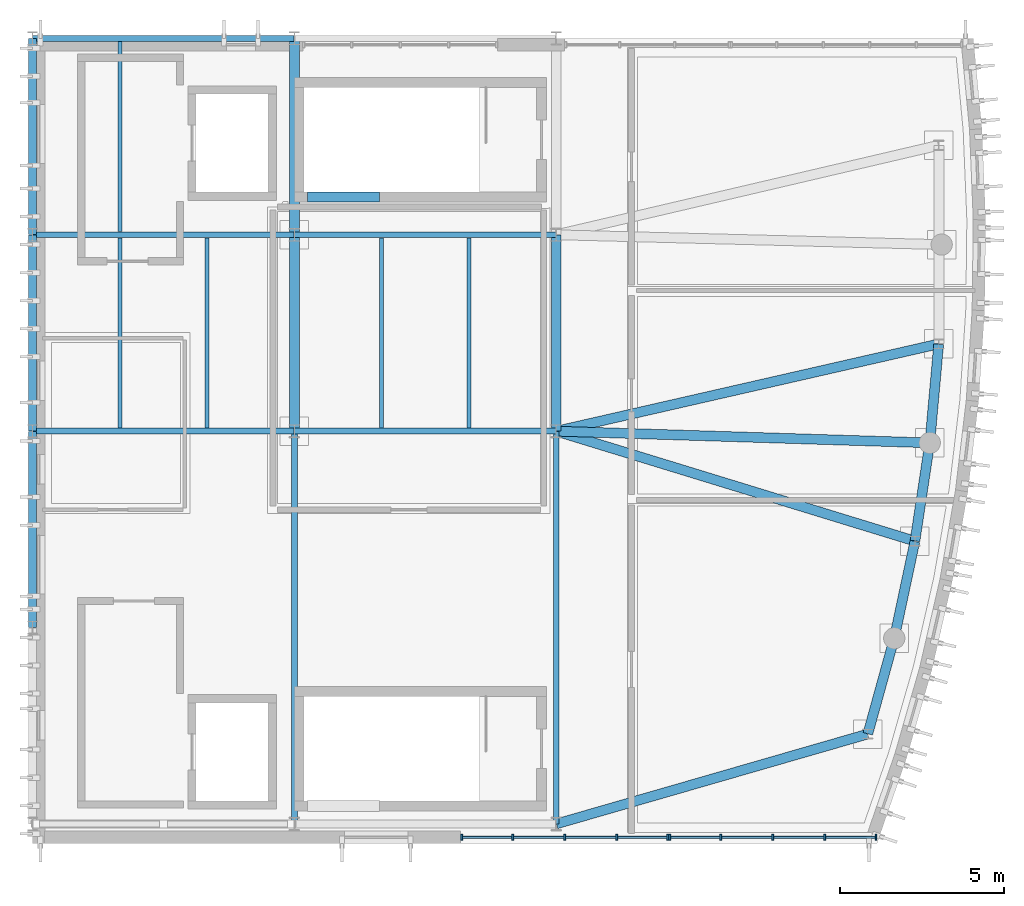
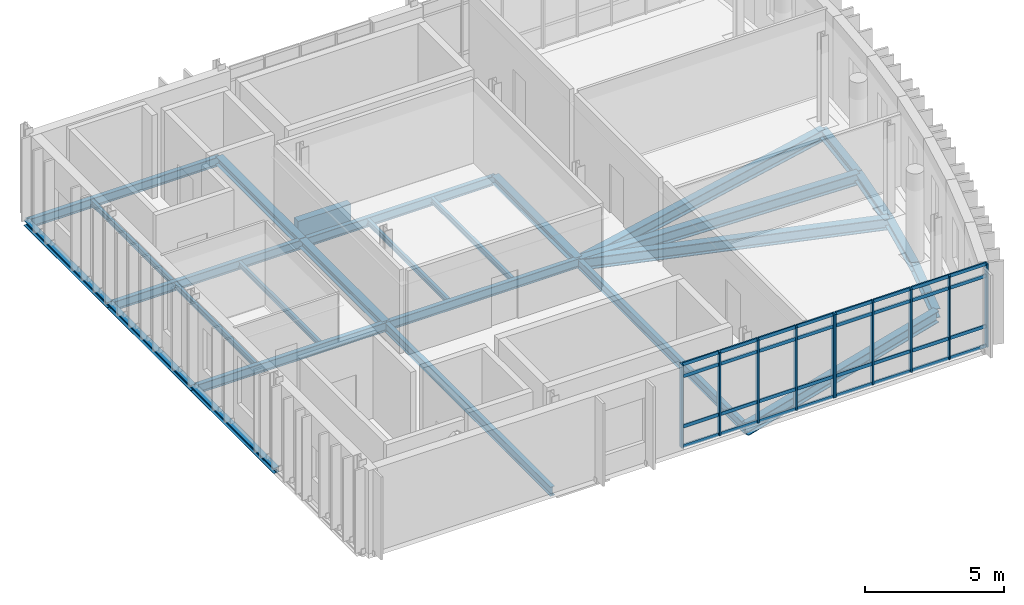
# One storey, part 2 of 9: 42 members, 27 beams, 2 elements without a shape of their own.
"""IFC4 building model written with IfcOpenShell, lengths in metres."""

import ifcopenshell
import ifcopenshell.guid

model = None  # the IFC model being written
_history = None  # IfcOwnerHistory: only IFC2X3 demands one
_inside = {}  # id of a spatial element -> (the spatial element, [elements in it])
_under = {}  # id of a project, library or spatial element -> (it, [spatial elements below it])
_declared = {}  # id of a project -> (the project, [libraries it declares])
_typed = {}  # id of a type object -> (the type object, [elements of that type])
_made_of = {}  # id of a material, layer set ... -> (it, [elements and type objects made of it])


def new_model(schema):
    """Start an empty IFC model of exactly this schema.

    Asked for "IFC4X3", IfcOpenShell would pick the latest addendum, in which some entities
    have other attributes; the version numbers below select the first issue.
    IFC2X3 requires an IfcOwnerHistory on every rooted entity: one is made here for all.
    """
    global model, _history
    if schema == "IFC4X3":
        model = ifcopenshell.file(schema_version=(4, 3, 0, 0))
    else:
        model = ifcopenshell.file(schema=schema)
    _inside.clear()
    _under.clear()
    _declared.clear()
    _typed.clear()
    _made_of.clear()
    _history = None
    if model.schema == "IFC2X3":
        org = make("IfcOrganization", Name="unknown")
        user = make(
            "IfcPersonAndOrganization",
            ThePerson=make("IfcPerson", FamilyName="unknown"),
            TheOrganization=org,
        )
        app = make(
            "IfcApplication",
            ApplicationDeveloper=org,
            Version="unknown",
            ApplicationFullName="unknown",
            ApplicationIdentifier="unknown",
        )
        _history = make(
            "IfcOwnerHistory",
            OwningUser=user,
            OwningApplication=app,
            ChangeAction="ADDED",
            CreationDate=0,
        )
    return model


def make(cls, **values):
    """One entity of the class cls with the attributes given. An attribute that is None is left unset."""
    return model.create_entity(
        cls, **{name: value for name, value in values.items() if value is not None}
    )


def rooted(cls, **values):
    """An entity with a GlobalId (a new one), such as an element, a storey or a relation."""
    return make(cls, GlobalId=ifcopenshell.guid.new(), OwnerHistory=_history, **values)


def si_unit(unit_type, name, prefix=None):
    """IfcSIUnit, for example si_unit("LENGTHUNIT", "METRE", prefix="MILLI")."""
    return make("IfcSIUnit", UnitType=unit_type, Prefix=prefix, Name=name)


def assignment(units):
    """IfcUnitAssignment: the units of a project."""
    return None if units is None else make("IfcUnitAssignment", Units=units)


def point(xyz):
    """IfcCartesianPoint."""
    return None if xyz is None else make("IfcCartesianPoint", Coordinates=xyz)


def direction(xyz):
    """IfcDirection."""
    return None if xyz is None else make("IfcDirection", DirectionRatios=xyz)


def frame(location, z_axis=None, x_axis=None):
    """IfcAxis2Placement3D, a coordinate frame: its origin and axes. An axis left out is left unset."""
    return make(
        "IfcAxis2Placement3D",
        Location=point(location),
        Axis=direction(z_axis),
        RefDirection=direction(x_axis),
    )


def frame_2d(location, x_axis=None):
    """IfcAxis2Placement2D, a coordinate frame in the plane: its origin and x axis."""
    return make(
        "IfcAxis2Placement2D", Location=point(location), RefDirection=direction(x_axis)
    )


def origin():
    """The frame at (0, 0, 0) with its axes left unset."""
    return frame((0.0, 0.0, 0.0))


def origin_2d():
    """The frame at (0, 0) in the plane with its x axis left unset."""
    return frame_2d((0.0, 0.0))


def place(relative_to, where):
    """IfcLocalPlacement: puts the frame where relative to a parent placement (None: the world)."""
    return make(
        "IfcLocalPlacement", PlacementRelTo=relative_to, RelativePlacement=where
    )


def context(
    kind, dimensions, precision=None, world=None, true_north=None, identifier=None
):
    """IfcGeometricRepresentationContext, for example the 3D "Model" context."""
    return make(
        "IfcGeometricRepresentationContext",
        ContextIdentifier=identifier,
        ContextType=kind,
        CoordinateSpaceDimension=dimensions,
        Precision=precision,
        WorldCoordinateSystem=world,
        TrueNorth=true_north,
    )


def subcontext(parent, identifier, kind, view, scale=None):
    """IfcGeometricRepresentationSubContext, for example "Body" below "Model"."""
    return make(
        "IfcGeometricRepresentationSubContext",
        ContextIdentifier=identifier,
        ContextType=kind,
        ParentContext=parent,
        TargetScale=scale,
        TargetView=view,
    )


def project(units=None, contexts=None):
    """IfcProject with its units and contexts."""
    return rooted(
        "IfcProject",
        Name="project",
        RepresentationContexts=contexts,
        UnitsInContext=assignment(units),
    )


def spatial(cls, under=None, at=None, **own):
    """A site, building, storey or space (cls), placed at a placement, below another one or the project."""
    s = rooted(cls, ObjectPlacement=at, **own)
    if under is not None:
        _under.setdefault(under.id(), (under, []))[1].append(s)
    return s


def profile(cls, at=None, kind="AREA", **sizes):
    """A parametric profile (cls). Its sizes go by their IFC names, for example OverallWidth=200.0."""
    return make(cls, ProfileType=kind, Position=at, **sizes)


def rectangle(**sizes):
    """IfcRectangleProfileDef."""
    return profile("IfcRectangleProfileDef", **sizes)


def i_section(**sizes):
    """IfcIShapeProfileDef."""
    return profile("IfcIShapeProfileDef", **sizes)


def extrude(swept, where, along, depth):
    """IfcExtrudedAreaSolid: the profile swept, set in the frame where, extruded along a direction by depth."""
    return make(
        "IfcExtrudedAreaSolid",
        SweptArea=swept,
        Position=where,
        ExtrudedDirection=direction(along),
        Depth=depth,
    )


def shape(context_of_items, identifier, shape_type, items):
    """IfcShapeRepresentation: the items that make up one representation, for example the "Body"."""
    return make(
        "IfcShapeRepresentation",
        ContextOfItems=context_of_items,
        RepresentationIdentifier=identifier,
        RepresentationType=shape_type,
        Items=items,
    )


def material(Name=None, Category=None):
    """IfcMaterial."""
    return make("IfcMaterial", Name=Name, Category=Category)


def material_profile(
    of_material, cross_section, Name=None, Category=None, Priority=None
):
    """IfcMaterialProfile: a cross section and its material."""
    return make(
        "IfcMaterialProfile",
        Name=Name,
        Material=of_material,
        Profile=cross_section,
        Priority=Priority,
        Category=Category,
    )


def profile_set(profiles, Name=None, composite=None):
    """IfcMaterialProfileSet."""
    return make(
        "IfcMaterialProfileSet",
        Name=Name,
        MaterialProfiles=profiles,
        CompositeProfile=composite,
    )


def made_of(thing, what):
    """Note that an element or type object is made of a material, layer set ...; save() writes the relation."""
    if what is not None:
        _made_of.setdefault(what.id(), (what, []))[1].append(thing)
    return thing


def type_object(cls, material=None, **own):
    """A type object (cls), such as IfcWallType, which elements share."""
    return made_of(rooted(cls, **own), material)


def element(
    cls,
    number,
    at=None,
    inside=None,
    cuts=None,
    type_object=None,
    material=None,
    context=None,
    identifier="Body",
    shape_type=None,
    held_by="IfcProductDefinitionShape",
    body=None,
    shapes=None,
    **own,
):
    """One element of the class cls, such as IfcWall. Its Tag is "e" and its number.

    at: its placement. inside: the storey or other place that contains it. cuts: it is an
    opening in that element (IfcRelVoidsElement). A single representation is given by context,
    identifier, shape_type and body (its items); several are given by shapes. held_by: the class
    of the entity that holds the representations. save() writes the other relations.
    """
    e = rooted(cls, Tag="e%d" % number, ObjectPlacement=at, **own)
    if body is not None:
        shapes = [shape(context, identifier, shape_type, body)]
    if shapes is not None:
        e.Representation = make(held_by, Representations=shapes)
    if inside is not None:
        _inside.setdefault(inside.id(), (inside, []))[1].append(e)
    if cuts is not None:
        rooted(
            "IfcRelVoidsElement", RelatingBuildingElement=cuts, RelatedOpeningElement=e
        )
    if type_object is not None:
        _typed.setdefault(type_object.id(), (type_object, []))[1].append(e)
    return made_of(e, material)


def aggregate(whole, parts):
    """IfcRelAggregates: a whole, such as a stair, and the parts it consists of."""
    return rooted("IfcRelAggregates", RelatingObject=whole, RelatedObjects=parts)


def save(model, path):
    """Write the relations noted so far, then the file.

    IfcRelAggregates (storeys below a building ...), IfcRelContainedInSpatialStructure (elements
    in a storey), IfcRelDefinesByType, IfcRelAssociatesMaterial and IfcRelDeclares: one each for
    every whole, place, type object, material and project.
    """
    for whole, parts in _under.values():
        aggregate(whole, parts)
    for where, things in _inside.values():
        rooted(
            "IfcRelContainedInSpatialStructure",
            RelatedElements=things,
            RelatingStructure=where,
        )
    for kind, things in _typed.values():
        rooted("IfcRelDefinesByType", RelatedObjects=things, RelatingType=kind)
    for what, things in _made_of.values():
        rooted("IfcRelAssociatesMaterial", RelatedObjects=things, RelatingMaterial=what)
    for by, libraries in _declared.values():
        rooted("IfcRelDeclares", RelatingContext=by, RelatedDefinitions=libraries)
    model.write(path)


model = new_model("IFC4")

# Units and contexts
model_context = context("Model", 3, precision=1e-05, world=origin(), true_north=direction((0.0, 1.0)))
body_context = subcontext(model_context, "Body", "Model", "MODEL_VIEW")
ifc_project = project(units=[si_unit("LENGTHUNIT", "METRE"), si_unit("AREAUNIT", "SQUARE_METRE"), si_unit("VOLUMEUNIT", "CUBIC_METRE"), si_unit("PLANEANGLEUNIT", "RADIAN"), si_unit("MASSUNIT", "GRAM", prefix="KILO")], contexts=[model_context])

# Site, building, storey
site_placement = place(None, origin())
site = spatial("IfcSite", under=ifc_project, at=site_placement, CompositionType="ELEMENT")
building_placement = place(site_placement, origin())
building = spatial("IfcBuilding", under=site, at=building_placement, Name="Cymarion Research Institute", CompositionType="ELEMENT")
storey_placement = place(building_placement, frame((0.0, 0.0, 42.300048828125)))
storey = spatial("IfcBuildingStorey", under=building, at=storey_placement, Name="L10", CompositionType="ELEMENT", Elevation=42.300048828125)

# Beam
ifc_material_1 = material(Name="Concrete C40/50", Category="concrete")
ifc_material_profile_1 = material_profile(ifc_material_1, rectangle(XDim=0.300048828125, YDim=0.75, at=origin_2d()), Name="RC 300x750")
ifc_profile_set_1 = profile_set([ifc_material_profile_1], Name="Concrete C40/50")
beam_type_1 = type_object("IfcBeamType", Name="COUPLING LINTEL LN01 RC 300x750", PredefinedType="LINTEL", material=ifc_profile_set_1)
beam_1_placement = place(storey_placement, frame((147.0, 24.64990234375, -0.594970703125), z_axis=(1.0, 0.0, 0.0), x_axis=(0.0, 1.0, 0.0)))
element("IfcBeam", 1, at=beam_1_placement, inside=storey, type_object=beam_type_1, Name="L10 C2 core coupling lintel LN01", PredefinedType="LINTEL", context=body_context, shape_type="SweptSolid", body=[
    extrude(rectangle(XDim=0.300048828125, YDim=0.75, at=origin_2d()), origin(), (0.0, 0.0, 1.0), 2.199951171875),
])

# Curtain wall, members
ifc_material_2 = material(Name="Anodised aluminium unitised curtain wall with Low-E glazing", Category="aluminium")
curtain_wall_type = type_object("IfcCurtainWallType", Name="UNITISED CURTAIN WALL CW78 6360X3660", PredefinedType="NOTDEFINED", material=ifc_material_2)
curtain_wall_1_placement = place(storey_placement, origin())
curtain_wall_1 = element("IfcCurtainWall", 2, at=curtain_wall_1_placement, inside=storey, type_object=curtain_wall_type, Name="L10 V1 unitised curtain wall CW78 #253", PredefinedType="NOTDEFINED")
ifc_material_3 = material(Name="Anodised aluminium framing", Category="aluminium")
ifc_material_profile_2 = material_profile(ifc_material_3, rectangle(XDim=0.06005859375, YDim=0.179931640625, at=origin_2d()), Name="ALU MULLION 60x180")
ifc_profile_set_2 = profile_set([ifc_material_profile_2], Name="Anodised aluminium framing")
member_type_1 = type_object("IfcMemberType", Name="CURTAIN WALL MULLION ML01 60X180", PredefinedType="MULLION", material=ifc_profile_set_2)
member_1_placement = place(storey_placement, frame((151.7109375, 5.090087890625, 0.0), z_axis=(0.0, 0.0, 1.0), x_axis=(1.0, 0.0, 0.0)))
member_1 = element("IfcMember", 3, at=member_1_placement, type_object=member_type_1, Name="CW78 mullion 1", PredefinedType="MULLION", context=body_context, shape_type="SweptSolid", body=[
    extrude(rectangle(XDim=0.06005859375, YDim=0.179931640625, at=origin_2d()), origin(), (0.0, 0.0, 1.0), 3.659912109375),
])
member_2_placement = place(storey_placement, frame((153.27099609375, 5.090087890625, 0.0), z_axis=(0.0, 0.0, 1.0), x_axis=(1.0, 0.0, 0.0)))
member_2 = element("IfcMember", 4, at=member_2_placement, type_object=member_type_1, Name="CW78 mullion 2", PredefinedType="MULLION", context=body_context, shape_type="SweptSolid", body=[
    extrude(rectangle(XDim=0.06005859375, YDim=0.179931640625, at=origin_2d()), origin(), (0.0, 0.0, 1.0), 3.659912109375),
])
member_3_placement = place(storey_placement, frame((154.86083984375, 5.090087890625, 0.0), z_axis=(0.0, 0.0, 1.0), x_axis=(1.0, 0.0, 0.0)))
member_3 = element("IfcMember", 5, at=member_3_placement, type_object=member_type_1, Name="CW78 mullion 3", PredefinedType="MULLION", context=body_context, shape_type="SweptSolid", body=[
    extrude(rectangle(XDim=0.06005859375, YDim=0.179931640625, at=origin_2d()), origin(), (0.0, 0.0, 1.0), 3.659912109375),
])
member_4_placement = place(storey_placement, frame((156.45068359375, 5.090087890625, 0.0), z_axis=(0.0, 0.0, 1.0), x_axis=(1.0, 0.0, 0.0)))
member_4 = element("IfcMember", 6, at=member_4_placement, type_object=member_type_1, Name="CW78 mullion 4", PredefinedType="MULLION", context=body_context, shape_type="SweptSolid", body=[
    extrude(rectangle(XDim=0.06005859375, YDim=0.179931640625, at=origin_2d()), origin(), (0.0, 0.0, 1.0), 3.659912109375),
])
member_5_placement = place(storey_placement, frame((158.010498046875, 5.090087890625, 0.0), z_axis=(0.0, 0.0, 1.0), x_axis=(1.0, 0.0, 0.0)))
member_5 = element("IfcMember", 7, at=member_5_placement, type_object=member_type_1, Name="CW78 mullion 5", PredefinedType="MULLION", context=body_context, shape_type="SweptSolid", body=[
    extrude(rectangle(XDim=0.06005859375, YDim=0.179931640625, at=origin_2d()), origin(), (0.0, 0.0, 1.0), 3.659912109375),
])

curtain_wall_2_placement = place(storey_placement, origin())
curtain_wall_2 = element("IfcCurtainWall", 8, at=curtain_wall_2_placement, inside=storey, type_object=curtain_wall_type, Name="L10 V1 unitised curtain wall CW78 #254", PredefinedType="NOTDEFINED")
member_6_placement = place(storey_placement, frame((158.070556640625, 5.090087890625, 0.0), z_axis=(0.0, 0.0, 1.0), x_axis=(1.0, 0.0, 0.0)))
member_6 = element("IfcMember", 9, at=member_6_placement, type_object=member_type_1, Name="CW78 mullion 1", PredefinedType="MULLION", context=body_context, shape_type="SweptSolid", body=[
    extrude(rectangle(XDim=0.06005859375, YDim=0.179931640625, at=origin_2d()), origin(), (0.0, 0.0, 1.0), 3.659912109375),
])
member_7_placement = place(storey_placement, frame((159.63037109375, 5.090087890625, 0.0), z_axis=(0.0, 0.0, 1.0), x_axis=(1.0, 0.0, 0.0)))
member_7 = element("IfcMember", 10, at=member_7_placement, type_object=member_type_1, Name="CW78 mullion 2", PredefinedType="MULLION", context=body_context, shape_type="SweptSolid", body=[
    extrude(rectangle(XDim=0.06005859375, YDim=0.179931640625, at=origin_2d()), origin(), (0.0, 0.0, 1.0), 3.659912109375),
])
member_8_placement = place(storey_placement, frame((161.22021484375, 5.090087890625, 0.0), z_axis=(0.0, 0.0, 1.0), x_axis=(1.0, 0.0, 0.0)))
member_8 = element("IfcMember", 11, at=member_8_placement, type_object=member_type_1, Name="CW78 mullion 3", PredefinedType="MULLION", context=body_context, shape_type="SweptSolid", body=[
    extrude(rectangle(XDim=0.06005859375, YDim=0.179931640625, at=origin_2d()), origin(), (0.0, 0.0, 1.0), 3.659912109375),
])
member_9_placement = place(storey_placement, frame((162.81005859375, 5.090087890625, 0.0), z_axis=(0.0, 0.0, 1.0), x_axis=(1.0, 0.0, 0.0)))
member_9 = element("IfcMember", 12, at=member_9_placement, type_object=member_type_1, Name="CW78 mullion 4", PredefinedType="MULLION", context=body_context, shape_type="SweptSolid", body=[
    extrude(rectangle(XDim=0.06005859375, YDim=0.179931640625, at=origin_2d()), origin(), (0.0, 0.0, 1.0), 3.659912109375),
])
member_10_placement = place(storey_placement, frame((164.3701171875, 5.090087890625, 0.0), z_axis=(0.0, 0.0, 1.0), x_axis=(1.0, 0.0, 0.0)))
member_10 = element("IfcMember", 13, at=member_10_placement, type_object=member_type_1, Name="CW78 mullion 5", PredefinedType="MULLION", context=body_context, shape_type="SweptSolid", body=[
    extrude(rectangle(XDim=0.06005859375, YDim=0.179931640625, at=origin_2d()), origin(), (0.0, 0.0, 1.0), 3.659912109375),
])

# Member
ifc_material_profile_3 = material_profile(ifc_material_3, rectangle(XDim=0.06005859375, YDim=0.14990234375, at=origin_2d()), Name="ALU TRANSOM 60x150")
ifc_profile_set_3 = profile_set([ifc_material_profile_3], Name="Anodised aluminium framing")
member_type_2 = type_object("IfcMemberType", Name="CURTAIN WALL TRANSOM TR01 60X150", PredefinedType="USERDEFINED", material=ifc_profile_set_3)
member_11_placement = place(storey_placement, frame((151.740966796875, 5.090087890625, 0.030029296875), z_axis=(1.0, 0.0, 0.0), x_axis=(0.0, 1.0, 0.0)))
member_11 = element("IfcMember", 14, at=member_11_placement, type_object=member_type_2, Name="CW78 transom 1.1", ObjectType="TRANSOM", PredefinedType="USERDEFINED", context=body_context, shape_type="SweptSolid", body=[
    extrude(rectangle(XDim=0.06005859375, YDim=0.14990234375, at=origin_2d()), origin(), (0.0, 0.0, 1.0), 1.5),
])

member_12_placement = place(storey_placement, frame((151.740966796875, 5.090087890625, 0.89990234375), z_axis=(1.0, 0.0, 0.0), x_axis=(0.0, 1.0, 0.0)))
member_12 = element("IfcMember", 15, at=member_12_placement, type_object=member_type_2, Name="CW78 transom 1.2", ObjectType="TRANSOM", PredefinedType="USERDEFINED", context=body_context, shape_type="SweptSolid", body=[
    extrude(rectangle(XDim=0.06005859375, YDim=0.14990234375, at=origin_2d()), origin(), (0.0, 0.0, 1.0), 1.5),
])

member_13_placement = place(storey_placement, frame((151.740966796875, 5.090087890625, 3.10986328125), z_axis=(1.0, 0.0, 0.0), x_axis=(0.0, 1.0, 0.0)))
member_13 = element("IfcMember", 16, at=member_13_placement, type_object=member_type_2, Name="CW78 transom 1.3", ObjectType="TRANSOM", PredefinedType="USERDEFINED", context=body_context, shape_type="SweptSolid", body=[
    extrude(rectangle(XDim=0.06005859375, YDim=0.14990234375, at=origin_2d()), origin(), (0.0, 0.0, 1.0), 1.5),
])

member_14_placement = place(storey_placement, frame((151.740966796875, 5.090087890625, 3.6298828125), z_axis=(1.0, 0.0, 0.0), x_axis=(0.0, 1.0, 0.0)))
member_14 = element("IfcMember", 17, at=member_14_placement, type_object=member_type_2, Name="CW78 transom 1.4", ObjectType="TRANSOM", PredefinedType="USERDEFINED", context=body_context, shape_type="SweptSolid", body=[
    extrude(rectangle(XDim=0.06005859375, YDim=0.14990234375, at=origin_2d()), origin(), (0.0, 0.0, 1.0), 1.5),
])

member_15_placement = place(storey_placement, frame((153.30078125, 5.090087890625, 0.030029296875), z_axis=(1.0, 0.0, 0.0), x_axis=(0.0, 1.0, 0.0)))
member_15 = element("IfcMember", 18, at=member_15_placement, type_object=member_type_2, Name="CW78 transom 2.1", ObjectType="TRANSOM", PredefinedType="USERDEFINED", context=body_context, shape_type="SweptSolid", body=[
    extrude(rectangle(XDim=0.06005859375, YDim=0.14990234375, at=origin_2d()), origin(), (0.0, 0.0, 1.0), 1.530029296875),
])

member_16_placement = place(storey_placement, frame((153.30078125, 5.090087890625, 0.89990234375), z_axis=(1.0, 0.0, 0.0), x_axis=(0.0, 1.0, 0.0)))
member_16 = element("IfcMember", 19, at=member_16_placement, type_object=member_type_2, Name="CW78 transom 2.2", ObjectType="TRANSOM", PredefinedType="USERDEFINED", context=body_context, shape_type="SweptSolid", body=[
    extrude(rectangle(XDim=0.06005859375, YDim=0.14990234375, at=origin_2d()), origin(), (0.0, 0.0, 1.0), 1.530029296875),
])

member_17_placement = place(storey_placement, frame((153.30078125, 5.090087890625, 3.10986328125), z_axis=(1.0, 0.0, 0.0), x_axis=(0.0, 1.0, 0.0)))
member_17 = element("IfcMember", 20, at=member_17_placement, type_object=member_type_2, Name="CW78 transom 2.3", ObjectType="TRANSOM", PredefinedType="USERDEFINED", context=body_context, shape_type="SweptSolid", body=[
    extrude(rectangle(XDim=0.06005859375, YDim=0.14990234375, at=origin_2d()), origin(), (0.0, 0.0, 1.0), 1.530029296875),
])

member_18_placement = place(storey_placement, frame((153.30078125, 5.090087890625, 3.6298828125), z_axis=(1.0, 0.0, 0.0), x_axis=(0.0, 1.0, 0.0)))
member_18 = element("IfcMember", 21, at=member_18_placement, type_object=member_type_2, Name="CW78 transom 2.4", ObjectType="TRANSOM", PredefinedType="USERDEFINED", context=body_context, shape_type="SweptSolid", body=[
    extrude(rectangle(XDim=0.06005859375, YDim=0.14990234375, at=origin_2d()), origin(), (0.0, 0.0, 1.0), 1.530029296875),
])

member_19_placement = place(storey_placement, frame((154.890869140625, 5.090087890625, 0.030029296875), z_axis=(1.0, 0.0, 0.0), x_axis=(0.0, 1.0, 0.0)))
member_19 = element("IfcMember", 22, at=member_19_placement, type_object=member_type_2, Name="CW78 transom 3.1", ObjectType="TRANSOM", PredefinedType="USERDEFINED", context=body_context, shape_type="SweptSolid", body=[
    extrude(rectangle(XDim=0.06005859375, YDim=0.14990234375, at=origin_2d()), origin(), (0.0, 0.0, 1.0), 1.52978515625),
])

member_20_placement = place(storey_placement, frame((154.890869140625, 5.090087890625, 0.89990234375), z_axis=(1.0, 0.0, 0.0), x_axis=(0.0, 1.0, 0.0)))
member_20 = element("IfcMember", 23, at=member_20_placement, type_object=member_type_2, Name="CW78 transom 3.2", ObjectType="TRANSOM", PredefinedType="USERDEFINED", context=body_context, shape_type="SweptSolid", body=[
    extrude(rectangle(XDim=0.06005859375, YDim=0.14990234375, at=origin_2d()), origin(), (0.0, 0.0, 1.0), 1.52978515625),
])

member_21_placement = place(storey_placement, frame((154.890869140625, 5.090087890625, 3.10986328125), z_axis=(1.0, 0.0, 0.0), x_axis=(0.0, 1.0, 0.0)))
member_21 = element("IfcMember", 24, at=member_21_placement, type_object=member_type_2, Name="CW78 transom 3.3", ObjectType="TRANSOM", PredefinedType="USERDEFINED", context=body_context, shape_type="SweptSolid", body=[
    extrude(rectangle(XDim=0.06005859375, YDim=0.14990234375, at=origin_2d()), origin(), (0.0, 0.0, 1.0), 1.52978515625),
])

member_22_placement = place(storey_placement, frame((154.890869140625, 5.090087890625, 3.6298828125), z_axis=(1.0, 0.0, 0.0), x_axis=(0.0, 1.0, 0.0)))
member_22 = element("IfcMember", 25, at=member_22_placement, type_object=member_type_2, Name="CW78 transom 3.4", ObjectType="TRANSOM", PredefinedType="USERDEFINED", context=body_context, shape_type="SweptSolid", body=[
    extrude(rectangle(XDim=0.06005859375, YDim=0.14990234375, at=origin_2d()), origin(), (0.0, 0.0, 1.0), 1.52978515625),
])

member_23_placement = place(storey_placement, frame((156.480712890625, 5.090087890625, 0.030029296875), z_axis=(1.0, 0.0, 0.0), x_axis=(0.0, 1.0, 0.0)))
member_23 = element("IfcMember", 26, at=member_23_placement, type_object=member_type_2, Name="CW78 transom 4.1", ObjectType="TRANSOM", PredefinedType="USERDEFINED", context=body_context, shape_type="SweptSolid", body=[
    extrude(rectangle(XDim=0.06005859375, YDim=0.14990234375, at=origin_2d()), origin(), (0.0, 0.0, 1.0), 1.499755859375),
])

member_24_placement = place(storey_placement, frame((156.480712890625, 5.090087890625, 0.89990234375), z_axis=(1.0, 0.0, 0.0), x_axis=(0.0, 1.0, 0.0)))
member_24 = element("IfcMember", 27, at=member_24_placement, type_object=member_type_2, Name="CW78 transom 4.2", ObjectType="TRANSOM", PredefinedType="USERDEFINED", context=body_context, shape_type="SweptSolid", body=[
    extrude(rectangle(XDim=0.06005859375, YDim=0.14990234375, at=origin_2d()), origin(), (0.0, 0.0, 1.0), 1.499755859375),
])

member_25_placement = place(storey_placement, frame((156.480712890625, 5.090087890625, 3.10986328125), z_axis=(1.0, 0.0, 0.0), x_axis=(0.0, 1.0, 0.0)))
member_25 = element("IfcMember", 28, at=member_25_placement, type_object=member_type_2, Name="CW78 transom 4.3", ObjectType="TRANSOM", PredefinedType="USERDEFINED", context=body_context, shape_type="SweptSolid", body=[
    extrude(rectangle(XDim=0.06005859375, YDim=0.14990234375, at=origin_2d()), origin(), (0.0, 0.0, 1.0), 1.499755859375),
])

member_26_placement = place(storey_placement, frame((156.480712890625, 5.090087890625, 3.6298828125), z_axis=(1.0, 0.0, 0.0), x_axis=(0.0, 1.0, 0.0)))
member_26 = element("IfcMember", 29, at=member_26_placement, type_object=member_type_2, Name="CW78 transom 4.4", ObjectType="TRANSOM", PredefinedType="USERDEFINED", context=body_context, shape_type="SweptSolid", body=[
    extrude(rectangle(XDim=0.06005859375, YDim=0.14990234375, at=origin_2d()), origin(), (0.0, 0.0, 1.0), 1.499755859375),
])

aggregate(curtain_wall_1, [member_1, member_2, member_3, member_4, member_5, member_11, member_12, member_13, member_14, member_15, member_16, member_17, member_18, member_19, member_20, member_21, member_22, member_23, member_24, member_25, member_26])

member_27_placement = place(storey_placement, frame((158.1005859375, 5.090087890625, 0.030029296875), z_axis=(1.0, 0.0, 0.0), x_axis=(0.0, 1.0, 0.0)))
member_27 = element("IfcMember", 30, at=member_27_placement, type_object=member_type_2, Name="CW78 transom 1.1", ObjectType="TRANSOM", PredefinedType="USERDEFINED", context=body_context, shape_type="SweptSolid", body=[
    extrude(rectangle(XDim=0.06005859375, YDim=0.14990234375, at=origin_2d()), origin(), (0.0, 0.0, 1.0), 1.499755859375),
])

member_28_placement = place(storey_placement, frame((158.1005859375, 5.090087890625, 0.89990234375), z_axis=(1.0, 0.0, 0.0), x_axis=(0.0, 1.0, 0.0)))
member_28 = element("IfcMember", 31, at=member_28_placement, type_object=member_type_2, Name="CW78 transom 1.2", ObjectType="TRANSOM", PredefinedType="USERDEFINED", context=body_context, shape_type="SweptSolid", body=[
    extrude(rectangle(XDim=0.06005859375, YDim=0.14990234375, at=origin_2d()), origin(), (0.0, 0.0, 1.0), 1.499755859375),
])

member_29_placement = place(storey_placement, frame((158.1005859375, 5.090087890625, 3.10986328125), z_axis=(1.0, 0.0, 0.0), x_axis=(0.0, 1.0, 0.0)))
member_29 = element("IfcMember", 32, at=member_29_placement, type_object=member_type_2, Name="CW78 transom 1.3", ObjectType="TRANSOM", PredefinedType="USERDEFINED", context=body_context, shape_type="SweptSolid", body=[
    extrude(rectangle(XDim=0.06005859375, YDim=0.14990234375, at=origin_2d()), origin(), (0.0, 0.0, 1.0), 1.499755859375),
])

member_30_placement = place(storey_placement, frame((158.1005859375, 5.090087890625, 3.6298828125), z_axis=(1.0, 0.0, 0.0), x_axis=(0.0, 1.0, 0.0)))
member_30 = element("IfcMember", 33, at=member_30_placement, type_object=member_type_2, Name="CW78 transom 1.4", ObjectType="TRANSOM", PredefinedType="USERDEFINED", context=body_context, shape_type="SweptSolid", body=[
    extrude(rectangle(XDim=0.06005859375, YDim=0.14990234375, at=origin_2d()), origin(), (0.0, 0.0, 1.0), 1.499755859375),
])

member_31_placement = place(storey_placement, frame((159.660400390625, 5.090087890625, 0.030029296875), z_axis=(1.0, 0.0, 0.0), x_axis=(0.0, 1.0, 0.0)))
member_31 = element("IfcMember", 34, at=member_31_placement, type_object=member_type_2, Name="CW78 transom 2.1", ObjectType="TRANSOM", PredefinedType="USERDEFINED", context=body_context, shape_type="SweptSolid", body=[
    extrude(rectangle(XDim=0.06005859375, YDim=0.14990234375, at=origin_2d()), origin(), (0.0, 0.0, 1.0), 1.52978515625),
])

member_32_placement = place(storey_placement, frame((159.660400390625, 5.090087890625, 0.89990234375), z_axis=(1.0, 0.0, 0.0), x_axis=(0.0, 1.0, 0.0)))
member_32 = element("IfcMember", 35, at=member_32_placement, type_object=member_type_2, Name="CW78 transom 2.2", ObjectType="TRANSOM", PredefinedType="USERDEFINED", context=body_context, shape_type="SweptSolid", body=[
    extrude(rectangle(XDim=0.06005859375, YDim=0.14990234375, at=origin_2d()), origin(), (0.0, 0.0, 1.0), 1.52978515625),
])

member_33_placement = place(storey_placement, frame((159.660400390625, 5.090087890625, 3.10986328125), z_axis=(1.0, 0.0, 0.0), x_axis=(0.0, 1.0, 0.0)))
member_33 = element("IfcMember", 36, at=member_33_placement, type_object=member_type_2, Name="CW78 transom 2.3", ObjectType="TRANSOM", PredefinedType="USERDEFINED", context=body_context, shape_type="SweptSolid", body=[
    extrude(rectangle(XDim=0.06005859375, YDim=0.14990234375, at=origin_2d()), origin(), (0.0, 0.0, 1.0), 1.52978515625),
])

member_34_placement = place(storey_placement, frame((159.660400390625, 5.090087890625, 3.6298828125), z_axis=(1.0, 0.0, 0.0), x_axis=(0.0, 1.0, 0.0)))
member_34 = element("IfcMember", 37, at=member_34_placement, type_object=member_type_2, Name="CW78 transom 2.4", ObjectType="TRANSOM", PredefinedType="USERDEFINED", context=body_context, shape_type="SweptSolid", body=[
    extrude(rectangle(XDim=0.06005859375, YDim=0.14990234375, at=origin_2d()), origin(), (0.0, 0.0, 1.0), 1.52978515625),
])

member_35_placement = place(storey_placement, frame((161.250244140625, 5.090087890625, 0.030029296875), z_axis=(1.0, 0.0, 0.0), x_axis=(0.0, 1.0, 0.0)))
member_35 = element("IfcMember", 38, at=member_35_placement, type_object=member_type_2, Name="CW78 transom 3.1", ObjectType="TRANSOM", PredefinedType="USERDEFINED", context=body_context, shape_type="SweptSolid", body=[
    extrude(rectangle(XDim=0.06005859375, YDim=0.14990234375, at=origin_2d()), origin(), (0.0, 0.0, 1.0), 1.52978515625),
])

member_36_placement = place(storey_placement, frame((161.250244140625, 5.090087890625, 0.89990234375), z_axis=(1.0, 0.0, 0.0), x_axis=(0.0, 1.0, 0.0)))
member_36 = element("IfcMember", 39, at=member_36_placement, type_object=member_type_2, Name="CW78 transom 3.2", ObjectType="TRANSOM", PredefinedType="USERDEFINED", context=body_context, shape_type="SweptSolid", body=[
    extrude(rectangle(XDim=0.06005859375, YDim=0.14990234375, at=origin_2d()), origin(), (0.0, 0.0, 1.0), 1.52978515625),
])

member_37_placement = place(storey_placement, frame((161.250244140625, 5.090087890625, 3.10986328125), z_axis=(1.0, 0.0, 0.0), x_axis=(0.0, 1.0, 0.0)))
member_37 = element("IfcMember", 40, at=member_37_placement, type_object=member_type_2, Name="CW78 transom 3.3", ObjectType="TRANSOM", PredefinedType="USERDEFINED", context=body_context, shape_type="SweptSolid", body=[
    extrude(rectangle(XDim=0.06005859375, YDim=0.14990234375, at=origin_2d()), origin(), (0.0, 0.0, 1.0), 1.52978515625),
])

member_38_placement = place(storey_placement, frame((161.250244140625, 5.090087890625, 3.6298828125), z_axis=(1.0, 0.0, 0.0), x_axis=(0.0, 1.0, 0.0)))
member_38 = element("IfcMember", 41, at=member_38_placement, type_object=member_type_2, Name="CW78 transom 3.4", ObjectType="TRANSOM", PredefinedType="USERDEFINED", context=body_context, shape_type="SweptSolid", body=[
    extrude(rectangle(XDim=0.06005859375, YDim=0.14990234375, at=origin_2d()), origin(), (0.0, 0.0, 1.0), 1.52978515625),
])

member_39_placement = place(storey_placement, frame((162.840087890625, 5.090087890625, 0.030029296875), z_axis=(1.0, 0.0, 0.0), x_axis=(0.0, 1.0, 0.0)))
member_39 = element("IfcMember", 42, at=member_39_placement, type_object=member_type_2, Name="CW78 transom 4.1", ObjectType="TRANSOM", PredefinedType="USERDEFINED", context=body_context, shape_type="SweptSolid", body=[
    extrude(rectangle(XDim=0.06005859375, YDim=0.14990234375, at=origin_2d()), origin(), (0.0, 0.0, 1.0), 1.5),
])

member_40_placement = place(storey_placement, frame((162.840087890625, 5.090087890625, 0.89990234375), z_axis=(1.0, 0.0, 0.0), x_axis=(0.0, 1.0, 0.0)))
member_40 = element("IfcMember", 43, at=member_40_placement, type_object=member_type_2, Name="CW78 transom 4.2", ObjectType="TRANSOM", PredefinedType="USERDEFINED", context=body_context, shape_type="SweptSolid", body=[
    extrude(rectangle(XDim=0.06005859375, YDim=0.14990234375, at=origin_2d()), origin(), (0.0, 0.0, 1.0), 1.5),
])

member_41_placement = place(storey_placement, frame((162.840087890625, 5.090087890625, 3.10986328125), z_axis=(1.0, 0.0, 0.0), x_axis=(0.0, 1.0, 0.0)))
member_41 = element("IfcMember", 44, at=member_41_placement, type_object=member_type_2, Name="CW78 transom 4.3", ObjectType="TRANSOM", PredefinedType="USERDEFINED", context=body_context, shape_type="SweptSolid", body=[
    extrude(rectangle(XDim=0.06005859375, YDim=0.14990234375, at=origin_2d()), origin(), (0.0, 0.0, 1.0), 1.5),
])

member_42_placement = place(storey_placement, frame((162.840087890625, 5.090087890625, 3.6298828125), z_axis=(1.0, 0.0, 0.0), x_axis=(0.0, 1.0, 0.0)))
member_42 = element("IfcMember", 45, at=member_42_placement, type_object=member_type_2, Name="CW78 transom 4.4", ObjectType="TRANSOM", PredefinedType="USERDEFINED", context=body_context, shape_type="SweptSolid", body=[
    extrude(rectangle(XDim=0.06005859375, YDim=0.14990234375, at=origin_2d()), origin(), (0.0, 0.0, 1.0), 1.5),
])

aggregate(curtain_wall_2, [member_6, member_7, member_8, member_9, member_10, member_27, member_28, member_29, member_30, member_31, member_32, member_33, member_34, member_35, member_36, member_37, member_38, member_39, member_40, member_41, member_42])

# Beams
ifc_material_4 = material(Name="Steel S355", Category="steel")
ifc_material_profile_4 = material_profile(ifc_material_4, i_section(OverallWidth=0.179931640625, OverallDepth=0.39990234375, WebThickness=0.008544921875, FlangeThickness=0.013427734375, FilletRadius=0.02099609375, at=origin_2d()), Name="IPE 400")
ifc_profile_set_4 = profile_set([ifc_material_profile_4], Name="Steel S355")
beam_type_2 = type_object("IfcBeamType", Name="PRIMARY GIRDER BM05 IPE 400", PredefinedType="BEAM", material=ifc_profile_set_4)
for number, where, z_axis, x_axis, name in (
    (46, (138.60595703125, 17.5, -0.400146484375), (1.0, 0.0, 0.0), (0.0, 1.0, 0.0), "L10 V1 girder BM05 #2422"),
    (47, (146.60595703125, 17.5, -0.400146484375), (1.0, 0.0, 0.0), (0.0, 1.0, 0.0), "L10 V1 girder BM05 #2423"),
    (48, (138.60595703125, 23.5, -0.400146484375), (1.0, 0.0, 0.0), (0.0, 1.0, 0.0), "L10 V1 girder BM05 #2424"),
    (49, (146.60595703125, 23.5, -0.400146484375), (1.0, 0.0, 0.0), (0.0, 1.0, 0.0), "L10 V1 girder BM05 #2425"),
    (50, (138.60595703125, 29.5, -0.400146484375), (1.0, 0.0, 0.0), (0.0, 1.0, 0.0), "L10 V1 girder BM05 #2426"),
):
    element("IfcBeam", number, at=place(storey_placement, frame(where, z_axis=z_axis, x_axis=x_axis)), inside=storey, type_object=beam_type_2, Name=name, PredefinedType="BEAM", context=body_context, shape_type="SweptSolid", body=[
        extrude(i_section(OverallWidth=0.179931640625, OverallDepth=0.39990234375, WebThickness=0.008544921875, FlangeThickness=0.013427734375, FilletRadius=0.02099609375, at=origin_2d()), origin(), (0.0, 0.0, 1.0), 7.988037109375),
    ])
for number, where, z_axis, x_axis, name in (
    (51, (146.60009765625, 5.506103515625, -0.400146484375), (0.0, 1.0, 0.0), (-1.0, 0.0, 0.0), "L10 V1 girder BM05 #2432"),
    (52, (154.60009765625, 5.506103515625, -0.400146484375), (0.0, 1.0, 0.0), (-1.0, 0.0, 0.0), "L10 V1 girder BM05 #2435"),
):
    element("IfcBeam", number, at=place(storey_placement, frame(where, z_axis=z_axis, x_axis=x_axis)), inside=storey, type_object=beam_type_2, Name=name, PredefinedType="BEAM", context=body_context, shape_type="SweptSolid", body=[
        extrude(i_section(OverallWidth=0.179931640625, OverallDepth=0.39990234375, WebThickness=0.008544921875, FlangeThickness=0.013427734375, FilletRadius=0.02099609375, at=origin_2d()), origin(), (0.0, 0.0, 1.0), 11.98779296875),
    ])
ifc_material_profile_5 = material_profile(ifc_material_4, i_section(OverallWidth=0.300048828125, OverallDepth=0.5, WebThickness=0.014404296875, FlangeThickness=0.028076171875, FilletRadius=0.027099609375, at=origin_2d()), Name="HEB 500")
ifc_profile_set_5 = profile_set([ifc_material_profile_5], Name="Steel S355")
beam_type_3 = type_object("IfcBeamType", Name="PRIMARY GIRDER BM09 HEB 500", PredefinedType="BEAM", material=ifc_profile_set_5)
beam_2_placement = place(storey_placement, frame((154.607666015625, 5.502197265625, -0.449951171875), z_axis=(0.960790340878, 0.277275893067, 0.0), x_axis=(-0.277275893067, 0.960790340878, 0.0)))
element("IfcBeam", 53, at=beam_2_placement, inside=storey, type_object=beam_type_3, Name="L10 V1 radial prow girder BM09 #2443", PredefinedType="BEAM", context=body_context, shape_type="SweptSolid", body=[
    extrude(i_section(OverallWidth=0.300048828125, OverallDepth=0.5, WebThickness=0.014404296875, FlangeThickness=0.028076171875, FilletRadius=0.027099609375, at=origin_2d()), origin(), (0.0, 0.0, 1.0), 9.8916015625),
])
beam_3_placement = place(storey_placement, frame((154.607666015625, 17.497802734375, -0.449951171875), z_axis=(0.956111343016, -0.29300358318, 0.0), x_axis=(0.29300358318, 0.956111343016, 0.0)))
element("IfcBeam", 54, at=beam_3_placement, inside=storey, type_object=beam_type_3, Name="L10 V1 radial prow girder BM09 #2444", PredefinedType="BEAM", context=body_context, shape_type="SweptSolid", body=[
    extrude(i_section(OverallWidth=0.300048828125, OverallDepth=0.5, WebThickness=0.014404296875, FlangeThickness=0.028076171875, FilletRadius=0.027099609375, at=origin_2d()), origin(), (0.0, 0.0, 1.0), 11.447021484375),
])
beam_4_placement = place(storey_placement, frame((154.60791015625, 17.499755859375, -0.449951171875), z_axis=(0.999510612774, -0.03128154332, 0.0), x_axis=(0.03128154332, 0.999510612774, 0.0)))
element("IfcBeam", 55, at=beam_4_placement, inside=storey, type_object=beam_type_3, Name="L10 V1 radial prow girder BM09 #2445", PredefinedType="BEAM", context=body_context, shape_type="SweptSolid", body=[
    extrude(i_section(OverallWidth=0.300048828125, OverallDepth=0.5, WebThickness=0.014404296875, FlangeThickness=0.028076171875, FilletRadius=0.027099609375, at=origin_2d()), origin(), (0.0, 0.0, 1.0), 11.402587890625),
])
beam_5_placement = place(storey_placement, frame((154.60791015625, 17.501708984375, -0.449951171875), z_axis=(0.974944767555, 0.222447072846, 0.0), x_axis=(-0.222447072846, 0.974944767555, 0.0)))
element("IfcBeam", 56, at=beam_5_placement, inside=storey, type_object=beam_type_3, Name="L10 V1 radial prow girder BM09 #2446", PredefinedType="BEAM", context=body_context, shape_type="SweptSolid", body=[
    extrude(i_section(OverallWidth=0.300048828125, OverallDepth=0.5, WebThickness=0.014404296875, FlangeThickness=0.028076171875, FilletRadius=0.027099609375, at=origin_2d()), origin(), (0.0, 0.0, 1.0), 11.969482421875),
])
ifc_material_profile_6 = material_profile(ifc_material_4, i_section(OverallWidth=0.300048828125, OverallDepth=0.39990234375, WebThickness=0.013427734375, FlangeThickness=0.02392578125, FilletRadius=0.027099609375, at=origin_2d()), Name="HEB 400")
ifc_profile_set_6 = profile_set([ifc_material_profile_6], Name="Steel S355")
beam_type_4 = type_object("IfcBeamType", Name="PRIMARY GIRDER BM11 HEB 400", PredefinedType="BEAM", material=ifc_profile_set_6)
for number, where, z_axis, x_axis, name in (
    (57, (164.12109375, 8.254638671875, -0.400146484375), (0.266488575035, 0.963838077364, 0.0), (-0.963838077364, 0.266488575035, 0.0), "L10 V1 prow ring girder BM11 #2439"),
    (58, (164.929443359375, 11.180419921875, -0.400146484375), (0.208198161849, 0.978086665589, 0.0), (-0.978086665589, 0.208198161849, 0.0), "L10 V1 prow ring girder BM11 #2440"),
    (59, (165.56103515625, 14.1494140625, -0.400146484375), (0.149261642014, 0.988797735749, 0.0), (-0.988797735749, 0.149261642014, 0.0), "L10 V1 prow ring girder BM11 #2441"),
):
    element("IfcBeam", number, at=place(storey_placement, frame(where, z_axis=z_axis, x_axis=x_axis)), inside=storey, type_object=beam_type_4, Name=name, PredefinedType="BEAM", context=body_context, shape_type="SweptSolid", body=[
        extrude(i_section(OverallWidth=0.300048828125, OverallDepth=0.39990234375, WebThickness=0.013427734375, FlangeThickness=0.02392578125, FilletRadius=0.027099609375, at=origin_2d()), origin(), (0.0, 0.0, 1.0), 3.01953125),
    ])
beam_6_placement = place(storey_placement, frame((166.013671875, 17.15087890625, -0.400146484375), z_axis=(0.089835817944, 0.995956588318, 0.0), x_axis=(-0.995956588318, 0.089835817944, 0.0)))
element("IfcBeam", 60, at=beam_6_placement, inside=storey, type_object=beam_type_4, Name="L10 V1 prow ring girder BM11 #2442", PredefinedType="BEAM", context=body_context, shape_type="SweptSolid", body=[
    extrude(i_section(OverallWidth=0.300048828125, OverallDepth=0.39990234375, WebThickness=0.013427734375, FlangeThickness=0.02392578125, FilletRadius=0.027099609375, at=origin_2d()), origin(), (0.0, 0.0, 1.0), 3.019287109375),
])
ifc_material_profile_7 = material_profile(ifc_material_4, i_section(OverallWidth=0.300048828125, OverallDepth=0.35009765625, WebThickness=0.010009765625, FlangeThickness=0.017578125, FilletRadius=0.027099609375, at=origin_2d()), Name="HEA 360")
ifc_profile_set_7 = profile_set([ifc_material_profile_7], Name="Steel S355")
beam_type_5 = type_object("IfcBeamType", Name="PRIMARY GIRDER BM12 HEA 360", PredefinedType="BEAM", material=ifc_profile_set_7)
for number, where, z_axis, x_axis, name in (
    (61, (146.60009765625, 17.506103515625, -0.375), (0.0, 1.0, 0.0), (-1.0, 0.0, 0.0), "L10 V1 girder BM12 #2433"),
    (62, (146.60009765625, 23.506103515625, -0.375), (0.0, 1.0, 0.0), (-1.0, 0.0, 0.0), "L10 V1 girder BM12 #2434"),
    (63, (154.60009765625, 17.506103515625, -0.375), (0.0, 1.0, 0.0), (-1.0, 0.0, 0.0), "L10 V1 girder BM12 #2436"),
):
    element("IfcBeam", number, at=place(storey_placement, frame(where, z_axis=z_axis, x_axis=x_axis)), inside=storey, type_object=beam_type_5, Name=name, PredefinedType="BEAM", context=body_context, shape_type="SweptSolid", body=[
        extrude(i_section(OverallWidth=0.300048828125, OverallDepth=0.35009765625, WebThickness=0.010009765625, FlangeThickness=0.017578125, FilletRadius=0.027099609375, at=origin_2d()), origin(), (0.0, 0.0, 1.0), 5.98779296875),
    ])
ifc_material_profile_8 = material_profile(ifc_material_4, i_section(OverallWidth=0.1201171875, OverallDepth=0.239990234375, WebThickness=0.006103515625, FlangeThickness=0.009765625, FilletRadius=0.014892578125, at=origin_2d()), Name="IPE 240")
ifc_profile_set_8 = profile_set([ifc_material_profile_8], Name="Steel S355")
beam_type_6 = type_object("IfcBeamType", Name="SECONDARY JOIST JS04 IPE 240", PredefinedType="JOIST", material=ifc_profile_set_8)
for number, where, z_axis, x_axis, name in (
    (64, (141.2666015625, 17.593994140625, -0.320068359375), (0.0, 1.0, 0.0), (-1.0, 0.0, 0.0), "L10 V1 secondary joist JS04 #2449"),
    (65, (143.933349609375, 17.593994140625, -0.320068359375), (0.0, 1.0, 0.0), (-1.0, 0.0, 0.0), "L10 V1 secondary joist JS04 #2450"),
    (66, (149.2666015625, 17.593994140625, -0.320068359375), (0.0, 1.0, 0.0), (-1.0, 0.0, 0.0), "L10 V1 secondary joist JS04 #2451"),
    (67, (151.933349609375, 17.593994140625, -0.320068359375), (0.0, 1.0, 0.0), (-1.0, 0.0, 0.0), "L10 V1 secondary joist JS04 #2452"),
    (68, (141.2666015625, 23.593994140625, -0.320068359375), (0.0, 1.0, 0.0), (-1.0, 0.0, 0.0), "L10 V1 secondary joist JS04 #2453"),
):
    element("IfcBeam", number, at=place(storey_placement, frame(where, z_axis=z_axis, x_axis=x_axis)), inside=storey, type_object=beam_type_6, Name=name, PredefinedType="JOIST", context=body_context, shape_type="SweptSolid", body=[
        extrude(i_section(OverallWidth=0.1201171875, OverallDepth=0.239990234375, WebThickness=0.006103515625, FlangeThickness=0.009765625, FilletRadius=0.014892578125, at=origin_2d()), origin(), (0.0, 0.0, 1.0), 5.81201171875),
    ])
ifc_material_profile_9 = material_profile(ifc_material_4, i_section(OverallWidth=0.239990234375, OverallDepth=0.22998046875, WebThickness=0.007568359375, FlangeThickness=0.011962890625, FilletRadius=0.02099609375, at=origin_2d()), Name="HEA 240")
ifc_profile_set_9 = profile_set([ifc_material_profile_9], Name="Steel S355")
beam_type_7 = type_object("IfcBeamType", Name="SPANDREL BEAM SPB03 HEA 240", PredefinedType="SPANDREL", material=ifc_profile_set_9)
for number, where, z_axis, x_axis, name in (
    (69, (138.60009765625, 11.506103515625, -0.31494140625), (0.0, 1.0, 0.0), (-1.0, 0.0, 0.0), "L10 V1 girder SPB03 #2429"),
    (70, (138.60009765625, 17.506103515625, -0.31494140625), (0.0, 1.0, 0.0), (-1.0, 0.0, 0.0), "L10 V1 girder SPB03 #2430"),
    (71, (138.60009765625, 23.506103515625, -0.31494140625), (0.0, 1.0, 0.0), (-1.0, 0.0, 0.0), "L10 V1 girder SPB03 #2431"),
):
    element("IfcBeam", number, at=place(storey_placement, frame(where, z_axis=z_axis, x_axis=x_axis)), inside=storey, type_object=beam_type_7, Name=name, PredefinedType="SPANDREL", context=body_context, shape_type="SweptSolid", body=[
        extrude(i_section(OverallWidth=0.239990234375, OverallDepth=0.22998046875, WebThickness=0.007568359375, FlangeThickness=0.011962890625, FilletRadius=0.02099609375, at=origin_2d()), origin(), (0.0, 0.0, 1.0), 5.98779296875),
    ])

save(model, "model.ifc")
